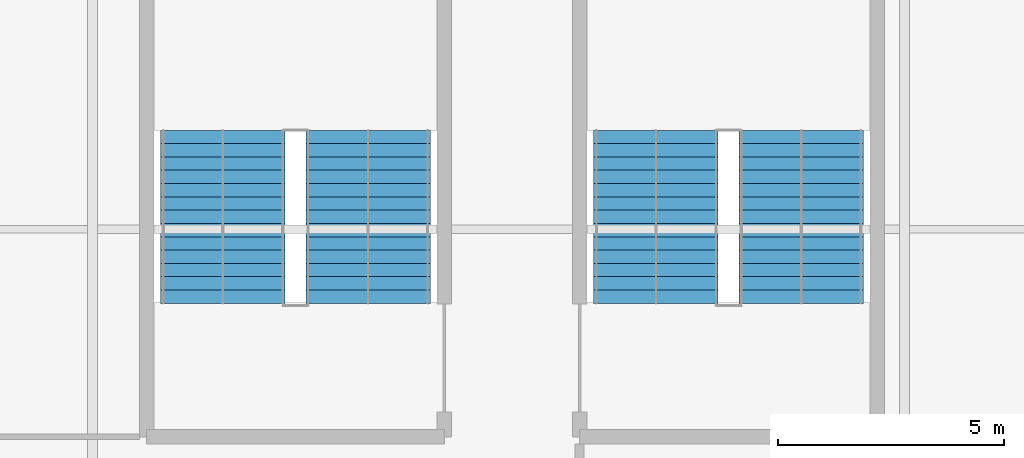
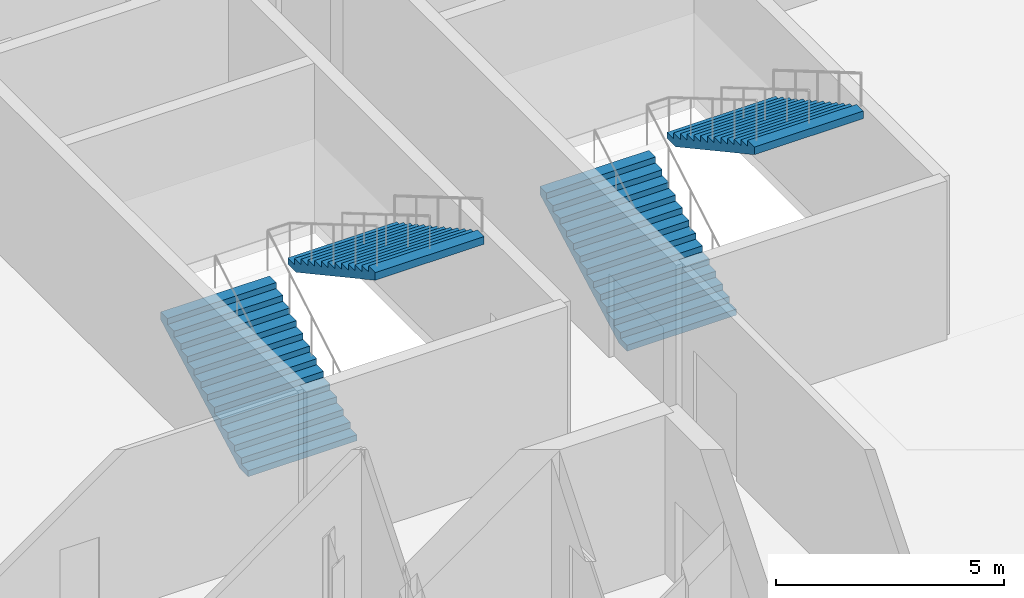
# One storey, part 60 of 73: 4 stair flights, 2 elements without a shape of their own.
"""IFC4 building model written with IfcOpenShell, lengths in metres."""

from ifc_helpers import new_model, si_unit, direction, frame, origin, place, context, subcontext, project, spatial, polygons, material, type_object, element, aggregate, save


model = new_model("IFC4")

# Units and contexts
model_context = context("Model", 3, precision=1e-05, world=origin(), true_north=direction((0.0, 1.0)))
body_context = subcontext(model_context, "Body", "Model", "MODEL_VIEW")
ifc_project = project(units=[si_unit("LENGTHUNIT", "METRE"), si_unit("AREAUNIT", "SQUARE_METRE"), si_unit("VOLUMEUNIT", "CUBIC_METRE"), si_unit("PLANEANGLEUNIT", "RADIAN"), si_unit("MASSUNIT", "GRAM", prefix="KILO")], contexts=[model_context])

# Site, building, storey
site_placement = place(None, origin())
site = spatial("IfcSite", under=ifc_project, at=site_placement, CompositionType="ELEMENT")
building_placement = place(site_placement, origin())
building = spatial("IfcBuilding", under=site, at=building_placement, Name="Kisiwana Market Hall", CompositionType="ELEMENT")
storey_placement = place(building_placement, frame((0.0, 0.0, 33.300048828125)))
storey = spatial("IfcBuildingStorey", under=building, at=storey_placement, Name="L07", CompositionType="ELEMENT", Elevation=33.300048828125)

# Stair, stair flights
ifc_material_1 = material(Name="Concrete C32/40", Category="concrete")
stair_type = type_object("IfcStairType", Name="ST-ESC-4500", PredefinedType="TWO_STRAIGHT_RUN_STAIR", material=ifc_material_1)
stair_1_placement = place(storey_placement, origin())
stair_1 = element("IfcStair", 1, at=stair_1_placement, inside=storey, type_object=stair_type, Name="Escape stair ST-W3-L07", PredefinedType="TWO_STRAIGHT_RUN_STAIR")
ifc_material_2 = material(Name="Concrete C32/40", Category="concrete")
stair_flight_type = type_object("IfcStairFlightType", Name="SF-ESC-4500", PredefinedType="STRAIGHT", material=ifc_material_2)
stair_flight_1_placement = place(storey_placement, frame((11.889892578125, 42.360107421875, 0.0), z_axis=(0.0, 0.0, 1.0), x_axis=(0.0, 1.0, 0.0)))
stair_flight_1 = element("IfcStairFlight", 2, at=stair_flight_1_placement, type_object=stair_flight_type, Name="ST-W3-L07 flight 1", NumberOfRisers=14, NumberOfTreads=13, PredefinedType="STRAIGHT", RiserHeight=0.160714, TreadLength=0.295, context=body_context, shape_type="Tessellation", body=[
    polygons([(0.0, -1.380127, 0.0), (0.0, -0.690125, 0.0), (0.0, -0.000122, 0.0), (0.0, 0.68988, 0.0), (0.0, 1.379883, 0.0), (0.0, -1.380127, 0.160645), (0.0, -0.690125, 0.160645), (0.0, -0.000122, 0.160645), (0.0, 0.68988, 0.160645), (0.0, 1.379883, 0.160645), (0.294922, -1.380127, 0.160645), (0.294922, -0.690125, 0.160645), (0.294922, -0.000122, 0.160645), (0.294922, 0.68988, 0.160645), (0.294922, 1.379883, 0.160645), (0.294922, -1.380127, 0.321533), (0.294922, -0.690125, 0.321533), (0.294922, -0.000122, 0.321533), (0.294922, 0.68988, 0.321533), (0.294922, 1.379883, 0.321533), (0.590088, -1.380127, 0.321533), (0.590088, -0.690125, 0.321533), (0.590088, -0.000122, 0.321533), (0.590088, 0.68988, 0.321533), (0.590088, 1.379883, 0.321533), (0.590088, -1.380127, 0.482178), (0.590088, -0.690125, 0.482178), (0.590088, -0.000122, 0.482178), (0.590088, 0.68988, 0.482178), (0.590088, 1.379883, 0.482178), (0.88501, -1.380127, 0.482178), (0.88501, -0.690125, 0.482178), (0.88501, -0.000122, 0.482178), (0.88501, 0.68988, 0.482178), (0.88501, 1.379883, 0.482178), (0.88501, -1.380127, 0.642822), (0.88501, -0.690125, 0.642822), (0.88501, -0.000122, 0.642822), (0.88501, 0.68988, 0.642822), (0.88501, 1.379883, 0.642822), (1.179932, -1.380127, 0.642822), (1.179932, -0.690125, 0.642822), (1.179932, -0.000122, 0.642822), (1.179932, 0.68988, 0.642822), (1.179932, 1.379883, 0.642822), (1.179932, -1.380127, 0.803467), (1.179932, -0.690125, 0.803467), (1.179932, -0.000122, 0.803467), (1.179932, 0.68988, 0.803467), (1.179932, 1.379883, 0.803467), (1.475098, -1.380127, 0.803467), (1.475098, -0.690125, 0.803467), (1.475098, -0.000122, 0.803467), (1.475098, 0.68988, 0.803467), (1.475098, 1.379883, 0.803467), (1.475098, -1.380127, 0.964355), (1.475098, -0.690125, 0.964355), (1.475098, -0.000122, 0.964355), (1.475098, 0.68988, 0.964355), (1.475098, 1.379883, 0.964355), (1.77002, -1.380127, 0.964355), (1.77002, -0.690125, 0.964355), (1.77002, -0.000122, 0.964355), (1.77002, 0.68988, 0.964355), (1.77002, 1.379883, 0.964355), (1.77002, -1.380127, 1.125), (1.77002, -0.690125, 1.125), (1.77002, -0.000122, 1.125), (1.77002, 0.68988, 1.125), (1.77002, 1.379883, 1.125), (2.064941, -1.380127, 1.125), (2.064941, -0.690125, 1.125), (2.064941, -0.000122, 1.125), (2.064941, 0.68988, 1.125), (2.064941, 1.379883, 1.125), (2.064941, -1.380127, 1.285645), (2.064941, -0.690125, 1.285645), (2.064941, -0.000122, 1.285645), (2.064941, 0.68988, 1.285645), (2.064941, 1.379883, 1.285645), (2.360107, -1.380127, 1.285645), (2.360107, -0.690125, 1.285645), (2.360107, -0.000122, 1.285645), (2.360107, 0.68988, 1.285645), (2.360107, 1.379883, 1.285645), (2.360107, -1.380127, 1.446533), (2.360107, -0.690125, 1.446533), (2.360107, -0.000122, 1.446533), (2.360107, 0.68988, 1.446533), (2.360107, 1.379883, 1.446533), (2.655029, -1.380127, 1.446533), (2.655029, -0.690125, 1.446533), (2.655029, -0.000122, 1.446533), (2.655029, 0.68988, 1.446533), (2.655029, 1.379883, 1.446533), (2.655029, -1.380127, 1.607178), (2.655029, -0.690125, 1.607178), (2.655029, -0.000122, 1.607178), (2.655029, 0.68988, 1.607178), (2.655029, 1.379883, 1.607178), (2.949951, -1.380127, 1.607178), (2.949951, -0.690125, 1.607178), (2.949951, -0.000122, 1.607178), (2.949951, 0.68988, 1.607178), (2.949951, 1.379883, 1.607178), (2.949951, -1.380127, 1.767822), (2.949951, -0.690125, 1.767822), (2.949951, -0.000122, 1.767822), (2.949951, 0.68988, 1.767822), (2.949951, 1.379883, 1.767822), (3.245117, -1.380127, 1.767822), (3.245117, -0.690125, 1.767822), (3.245117, -0.000122, 1.767822), (3.245117, 0.68988, 1.767822), (3.245117, 1.379883, 1.767822), (3.245117, -1.380127, 1.928467), (3.245117, -0.690125, 1.928467), (3.245117, -0.000122, 1.928467), (3.245117, 0.68988, 1.928467), (3.245117, 1.379883, 1.928467), (3.540039, -1.380127, 1.928467), (3.540039, -0.690125, 1.928467), (3.540039, -0.000122, 1.928467), (3.540039, 0.68988, 1.928467), (3.540039, 1.379883, 1.928467), (3.540039, -1.380127, 2.089355), (3.540039, -0.690125, 2.089355), (3.540039, -0.000122, 2.089355), (3.540039, 0.68988, 2.089355), (3.540039, 1.379883, 2.089355), (3.834961, -1.380127, 2.089355), (3.834961, -0.690125, 2.089355), (3.834961, -0.000122, 2.089355), (3.834961, 0.68988, 2.089355), (3.834961, 1.379883, 2.089355), (3.834961, -1.380127, 1.884277), (3.834961, -0.690125, 1.884277), (3.834961, -0.000122, 1.884277), (3.834961, 0.68988, 1.884277), (3.834961, 1.379883, 1.884277), (0.376221, -1.380127, 0.0), (0.376221, -0.690125, 0.0), (0.376221, -0.000122, 0.0), (0.376221, 0.68988, 0.0), (0.376221, 1.379883, 0.0)], [[[1, 6, 7, 2]], [[2, 7, 8, 3]], [[3, 8, 9, 4]], [[4, 9, 10, 5]], [[6, 11, 12, 7]], [[7, 12, 13, 8]], [[8, 13, 14, 9]], [[9, 14, 15, 10]], [[11, 16, 17, 12]], [[12, 17, 18, 13]], [[13, 18, 19, 14]], [[14, 19, 20, 15]], [[16, 21, 22, 17]], [[17, 22, 23, 18]], [[18, 23, 24, 19]], [[19, 24, 25, 20]], [[21, 26, 27, 22]], [[22, 27, 28, 23]], [[23, 28, 29, 24]], [[24, 29, 30, 25]], [[26, 31, 32, 27]], [[27, 32, 33, 28]], [[28, 33, 34, 29]], [[29, 34, 35, 30]], [[31, 36, 37, 32]], [[32, 37, 38, 33]], [[33, 38, 39, 34]], [[34, 39, 40, 35]], [[36, 41, 42, 37]], [[37, 42, 43, 38]], [[38, 43, 44, 39]], [[39, 44, 45, 40]], [[41, 46, 47, 42]], [[42, 47, 48, 43]], [[43, 48, 49, 44]], [[44, 49, 50, 45]], [[46, 51, 52, 47]], [[47, 52, 53, 48]], [[48, 53, 54, 49]], [[49, 54, 55, 50]], [[51, 56, 57, 52]], [[52, 57, 58, 53]], [[53, 58, 59, 54]], [[54, 59, 60, 55]], [[56, 61, 62, 57]], [[57, 62, 63, 58]], [[58, 63, 64, 59]], [[59, 64, 65, 60]], [[61, 66, 67, 62]], [[62, 67, 68, 63]], [[63, 68, 69, 64]], [[64, 69, 70, 65]], [[66, 71, 72, 67]], [[67, 72, 73, 68]], [[68, 73, 74, 69]], [[69, 74, 75, 70]], [[71, 76, 77, 72]], [[72, 77, 78, 73]], [[73, 78, 79, 74]], [[74, 79, 80, 75]], [[76, 81, 82, 77]], [[77, 82, 83, 78]], [[78, 83, 84, 79]], [[79, 84, 85, 80]], [[81, 86, 87, 82]], [[82, 87, 88, 83]], [[83, 88, 89, 84]], [[84, 89, 90, 85]], [[86, 91, 92, 87]], [[87, 92, 93, 88]], [[88, 93, 94, 89]], [[89, 94, 95, 90]], [[91, 96, 97, 92]], [[92, 97, 98, 93]], [[93, 98, 99, 94]], [[94, 99, 100, 95]], [[96, 101, 102, 97]], [[97, 102, 103, 98]], [[98, 103, 104, 99]], [[99, 104, 105, 100]], [[101, 106, 107, 102]], [[102, 107, 108, 103]], [[103, 108, 109, 104]], [[104, 109, 110, 105]], [[106, 111, 112, 107]], [[107, 112, 113, 108]], [[108, 113, 114, 109]], [[109, 114, 115, 110]], [[111, 116, 117, 112]], [[112, 117, 118, 113]], [[113, 118, 119, 114]], [[114, 119, 120, 115]], [[116, 121, 122, 117]], [[117, 122, 123, 118]], [[118, 123, 124, 119]], [[119, 124, 125, 120]], [[121, 126, 127, 122]], [[122, 127, 128, 123]], [[123, 128, 129, 124]], [[124, 129, 130, 125]], [[126, 131, 132, 127]], [[127, 132, 133, 128]], [[128, 133, 134, 129]], [[129, 134, 135, 130]], [[131, 136, 137, 132]], [[132, 137, 138, 133]], [[133, 138, 139, 134]], [[134, 139, 140, 135]], [[136, 141, 142, 137]], [[137, 142, 143, 138]], [[138, 143, 144, 139]], [[139, 144, 145, 140]], [[141, 1, 2, 142]], [[142, 2, 3, 143]], [[143, 3, 4, 144]], [[144, 4, 5, 145]], [[141, 136, 131, 126, 121, 116, 111, 106, 101, 96, 91, 86, 81, 76, 71, 66, 61, 56, 51, 46, 41, 36, 31, 26, 21, 16, 11, 6, 1]], [[5, 10, 15, 20, 25, 30, 35, 40, 45, 50, 55, 60, 65, 70, 75, 80, 85, 90, 95, 100, 105, 110, 115, 120, 125, 130, 135, 140, 145]]], closed=True),
])
stair_flight_2_placement = place(storey_placement, frame((15.110107421875, 46.195068359375, 2.25), z_axis=(0.0, 0.0, 1.0), x_axis=(0.0, -1.0, 0.0)))
stair_flight_2 = element("IfcStairFlight", 3, at=stair_flight_2_placement, type_object=stair_flight_type, Name="ST-W3-L07 flight 2", NumberOfRisers=14, NumberOfTreads=13, PredefinedType="STRAIGHT", RiserHeight=0.160714, TreadLength=0.295, context=body_context, shape_type="Tessellation", body=[
    polygons([(0.0, -1.380127, 0.0), (0.0, -0.690125, 0.0), (0.0, -0.000122, 0.0), (0.0, 0.68988, 0.0), (0.0, 1.379883, 0.0), (0.0, -1.380127, 0.160645), (0.0, -0.690125, 0.160645), (0.0, -0.000122, 0.160645), (0.0, 0.68988, 0.160645), (0.0, 1.379883, 0.160645), (0.294922, -1.380127, 0.160645), (0.294922, -0.690125, 0.160645), (0.294922, -0.000122, 0.160645), (0.294922, 0.68988, 0.160645), (0.294922, 1.379883, 0.160645), (0.294922, -1.380127, 0.321533), (0.294922, -0.690125, 0.321533), (0.294922, -0.000122, 0.321533), (0.294922, 0.68988, 0.321533), (0.294922, 1.379883, 0.321533), (0.590088, -1.380127, 0.321533), (0.590088, -0.690125, 0.321533), (0.590088, -0.000122, 0.321533), (0.590088, 0.68988, 0.321533), (0.590088, 1.379883, 0.321533), (0.590088, -1.380127, 0.482178), (0.590088, -0.690125, 0.482178), (0.590088, -0.000122, 0.482178), (0.590088, 0.68988, 0.482178), (0.590088, 1.379883, 0.482178), (0.88501, -1.380127, 0.482178), (0.88501, -0.690125, 0.482178), (0.88501, -0.000122, 0.482178), (0.88501, 0.68988, 0.482178), (0.88501, 1.379883, 0.482178), (0.88501, -1.380127, 0.642822), (0.88501, -0.690125, 0.642822), (0.88501, -0.000122, 0.642822), (0.88501, 0.68988, 0.642822), (0.88501, 1.379883, 0.642822), (1.179932, -1.380127, 0.642822), (1.179932, -0.690125, 0.642822), (1.179932, -0.000122, 0.642822), (1.179932, 0.68988, 0.642822), (1.179932, 1.379883, 0.642822), (1.179932, -1.380127, 0.803467), (1.179932, -0.690125, 0.803467), (1.179932, -0.000122, 0.803467), (1.179932, 0.68988, 0.803467), (1.179932, 1.379883, 0.803467), (1.475098, -1.380127, 0.803467), (1.475098, -0.690125, 0.803467), (1.475098, -0.000122, 0.803467), (1.475098, 0.68988, 0.803467), (1.475098, 1.379883, 0.803467), (1.475098, -1.380127, 0.964355), (1.475098, -0.690125, 0.964355), (1.475098, -0.000122, 0.964355), (1.475098, 0.68988, 0.964355), (1.475098, 1.379883, 0.964355), (1.77002, -1.380127, 0.964355), (1.77002, -0.690125, 0.964355), (1.77002, -0.000122, 0.964355), (1.77002, 0.68988, 0.964355), (1.77002, 1.379883, 0.964355), (1.77002, -1.380127, 1.125), (1.77002, -0.690125, 1.125), (1.77002, -0.000122, 1.125), (1.77002, 0.68988, 1.125), (1.77002, 1.379883, 1.125), (2.064941, -1.380127, 1.125), (2.064941, -0.690125, 1.125), (2.064941, -0.000122, 1.125), (2.064941, 0.68988, 1.125), (2.064941, 1.379883, 1.125), (2.064941, -1.380127, 1.285645), (2.064941, -0.690125, 1.285645), (2.064941, -0.000122, 1.285645), (2.064941, 0.68988, 1.285645), (2.064941, 1.379883, 1.285645), (2.360107, -1.380127, 1.285645), (2.360107, -0.690125, 1.285645), (2.360107, -0.000122, 1.285645), (2.360107, 0.68988, 1.285645), (2.360107, 1.379883, 1.285645), (2.360107, -1.380127, 1.446533), (2.360107, -0.690125, 1.446533), (2.360107, -0.000122, 1.446533), (2.360107, 0.68988, 1.446533), (2.360107, 1.379883, 1.446533), (2.655029, -1.380127, 1.446533), (2.655029, -0.690125, 1.446533), (2.655029, -0.000122, 1.446533), (2.655029, 0.68988, 1.446533), (2.655029, 1.379883, 1.446533), (2.655029, -1.380127, 1.607178), (2.655029, -0.690125, 1.607178), (2.655029, -0.000122, 1.607178), (2.655029, 0.68988, 1.607178), (2.655029, 1.379883, 1.607178), (2.949951, -1.380127, 1.607178), (2.949951, -0.690125, 1.607178), (2.949951, -0.000122, 1.607178), (2.949951, 0.68988, 1.607178), (2.949951, 1.379883, 1.607178), (2.949951, -1.380127, 1.767822), (2.949951, -0.690125, 1.767822), (2.949951, -0.000122, 1.767822), (2.949951, 0.68988, 1.767822), (2.949951, 1.379883, 1.767822), (3.245117, -1.380127, 1.767822), (3.245117, -0.690125, 1.767822), (3.245117, -0.000122, 1.767822), (3.245117, 0.68988, 1.767822), (3.245117, 1.379883, 1.767822), (3.245117, -1.380127, 1.928467), (3.245117, -0.690125, 1.928467), (3.245117, -0.000122, 1.928467), (3.245117, 0.68988, 1.928467), (3.245117, 1.379883, 1.928467), (3.540039, -1.380127, 1.928467), (3.540039, -0.690125, 1.928467), (3.540039, -0.000122, 1.928467), (3.540039, 0.68988, 1.928467), (3.540039, 1.379883, 1.928467), (3.540039, -1.380127, 2.089355), (3.540039, -0.690125, 2.089355), (3.540039, -0.000122, 2.089355), (3.540039, 0.68988, 2.089355), (3.540039, 1.379883, 2.089355), (3.834961, -1.380127, 2.089355), (3.834961, -0.690125, 2.089355), (3.834961, -0.000122, 2.089355), (3.834961, 0.68988, 2.089355), (3.834961, 1.379883, 2.089355), (3.834961, -1.380127, 1.884277), (3.834961, -0.690125, 1.884277), (3.834961, -0.000122, 1.884277), (3.834961, 0.68988, 1.884277), (3.834961, 1.379883, 1.884277), (0.376221, -1.380127, 0.0), (0.376221, -0.690125, 0.0), (0.376221, -0.000122, 0.0), (0.376221, 0.68988, 0.0), (0.376221, 1.379883, 0.0)], [[[1, 6, 7, 2]], [[2, 7, 8, 3]], [[3, 8, 9, 4]], [[4, 9, 10, 5]], [[6, 11, 12, 7]], [[7, 12, 13, 8]], [[8, 13, 14, 9]], [[9, 14, 15, 10]], [[11, 16, 17, 12]], [[12, 17, 18, 13]], [[13, 18, 19, 14]], [[14, 19, 20, 15]], [[16, 21, 22, 17]], [[17, 22, 23, 18]], [[18, 23, 24, 19]], [[19, 24, 25, 20]], [[21, 26, 27, 22]], [[22, 27, 28, 23]], [[23, 28, 29, 24]], [[24, 29, 30, 25]], [[26, 31, 32, 27]], [[27, 32, 33, 28]], [[28, 33, 34, 29]], [[29, 34, 35, 30]], [[31, 36, 37, 32]], [[32, 37, 38, 33]], [[33, 38, 39, 34]], [[34, 39, 40, 35]], [[36, 41, 42, 37]], [[37, 42, 43, 38]], [[38, 43, 44, 39]], [[39, 44, 45, 40]], [[41, 46, 47, 42]], [[42, 47, 48, 43]], [[43, 48, 49, 44]], [[44, 49, 50, 45]], [[46, 51, 52, 47]], [[47, 52, 53, 48]], [[48, 53, 54, 49]], [[49, 54, 55, 50]], [[51, 56, 57, 52]], [[52, 57, 58, 53]], [[53, 58, 59, 54]], [[54, 59, 60, 55]], [[56, 61, 62, 57]], [[57, 62, 63, 58]], [[58, 63, 64, 59]], [[59, 64, 65, 60]], [[61, 66, 67, 62]], [[62, 67, 68, 63]], [[63, 68, 69, 64]], [[64, 69, 70, 65]], [[66, 71, 72, 67]], [[67, 72, 73, 68]], [[68, 73, 74, 69]], [[69, 74, 75, 70]], [[71, 76, 77, 72]], [[72, 77, 78, 73]], [[73, 78, 79, 74]], [[74, 79, 80, 75]], [[76, 81, 82, 77]], [[77, 82, 83, 78]], [[78, 83, 84, 79]], [[79, 84, 85, 80]], [[81, 86, 87, 82]], [[82, 87, 88, 83]], [[83, 88, 89, 84]], [[84, 89, 90, 85]], [[86, 91, 92, 87]], [[87, 92, 93, 88]], [[88, 93, 94, 89]], [[89, 94, 95, 90]], [[91, 96, 97, 92]], [[92, 97, 98, 93]], [[93, 98, 99, 94]], [[94, 99, 100, 95]], [[96, 101, 102, 97]], [[97, 102, 103, 98]], [[98, 103, 104, 99]], [[99, 104, 105, 100]], [[101, 106, 107, 102]], [[102, 107, 108, 103]], [[103, 108, 109, 104]], [[104, 109, 110, 105]], [[106, 111, 112, 107]], [[107, 112, 113, 108]], [[108, 113, 114, 109]], [[109, 114, 115, 110]], [[111, 116, 117, 112]], [[112, 117, 118, 113]], [[113, 118, 119, 114]], [[114, 119, 120, 115]], [[116, 121, 122, 117]], [[117, 122, 123, 118]], [[118, 123, 124, 119]], [[119, 124, 125, 120]], [[121, 126, 127, 122]], [[122, 127, 128, 123]], [[123, 128, 129, 124]], [[124, 129, 130, 125]], [[126, 131, 132, 127]], [[127, 132, 133, 128]], [[128, 133, 134, 129]], [[129, 134, 135, 130]], [[131, 136, 137, 132]], [[132, 137, 138, 133]], [[133, 138, 139, 134]], [[134, 139, 140, 135]], [[136, 141, 142, 137]], [[137, 142, 143, 138]], [[138, 143, 144, 139]], [[139, 144, 145, 140]], [[141, 1, 2, 142]], [[142, 2, 3, 143]], [[143, 3, 4, 144]], [[144, 4, 5, 145]], [[141, 136, 131, 126, 121, 116, 111, 106, 101, 96, 91, 86, 81, 76, 71, 66, 61, 56, 51, 46, 41, 36, 31, 26, 21, 16, 11, 6, 1]], [[5, 10, 15, 20, 25, 30, 35, 40, 45, 50, 55, 60, 65, 70, 75, 80, 85, 90, 95, 100, 105, 110, 115, 120, 125, 130, 135, 140, 145]]], closed=True),
])
aggregate(stair_1, [stair_flight_1, stair_flight_2])

stair_2_placement = place(storey_placement, origin())
stair_2 = element("IfcStair", 4, at=stair_2_placement, inside=storey, type_object=stair_type, Name="Escape stair ST-W7-L07", PredefinedType="TWO_STRAIGHT_RUN_STAIR")
stair_flight_3_placement = place(storey_placement, frame((21.489990234375, 42.360107421875, 0.0), z_axis=(0.0, 0.0, 1.0), x_axis=(0.0, 1.0, 0.0)))
stair_flight_3 = element("IfcStairFlight", 5, at=stair_flight_3_placement, type_object=stair_flight_type, Name="ST-W7-L07 flight 1", NumberOfRisers=14, NumberOfTreads=13, PredefinedType="STRAIGHT", RiserHeight=0.160714, TreadLength=0.295, context=body_context, shape_type="Tessellation", body=[
    polygons([(0.0, -1.380127, 0.0), (0.0, -0.690125, 0.0), (0.0, -0.000122, 0.0), (0.0, 0.68988, 0.0), (0.0, 1.379883, 0.0), (0.0, -1.380127, 0.160645), (0.0, -0.690125, 0.160645), (0.0, -0.000122, 0.160645), (0.0, 0.68988, 0.160645), (0.0, 1.379883, 0.160645), (0.294922, -1.380127, 0.160645), (0.294922, -0.690125, 0.160645), (0.294922, -0.000122, 0.160645), (0.294922, 0.68988, 0.160645), (0.294922, 1.379883, 0.160645), (0.294922, -1.380127, 0.321533), (0.294922, -0.690125, 0.321533), (0.294922, -0.000122, 0.321533), (0.294922, 0.68988, 0.321533), (0.294922, 1.379883, 0.321533), (0.590088, -1.380127, 0.321533), (0.590088, -0.690125, 0.321533), (0.590088, -0.000122, 0.321533), (0.590088, 0.68988, 0.321533), (0.590088, 1.379883, 0.321533), (0.590088, -1.380127, 0.482178), (0.590088, -0.690125, 0.482178), (0.590088, -0.000122, 0.482178), (0.590088, 0.68988, 0.482178), (0.590088, 1.379883, 0.482178), (0.88501, -1.380127, 0.482178), (0.88501, -0.690125, 0.482178), (0.88501, -0.000122, 0.482178), (0.88501, 0.68988, 0.482178), (0.88501, 1.379883, 0.482178), (0.88501, -1.380127, 0.642822), (0.88501, -0.690125, 0.642822), (0.88501, -0.000122, 0.642822), (0.88501, 0.68988, 0.642822), (0.88501, 1.379883, 0.642822), (1.179932, -1.380127, 0.642822), (1.179932, -0.690125, 0.642822), (1.179932, -0.000122, 0.642822), (1.179932, 0.68988, 0.642822), (1.179932, 1.379883, 0.642822), (1.179932, -1.380127, 0.803467), (1.179932, -0.690125, 0.803467), (1.179932, -0.000122, 0.803467), (1.179932, 0.68988, 0.803467), (1.179932, 1.379883, 0.803467), (1.475098, -1.380127, 0.803467), (1.475098, -0.690125, 0.803467), (1.475098, -0.000122, 0.803467), (1.475098, 0.68988, 0.803467), (1.475098, 1.379883, 0.803467), (1.475098, -1.380127, 0.964355), (1.475098, -0.690125, 0.964355), (1.475098, -0.000122, 0.964355), (1.475098, 0.68988, 0.964355), (1.475098, 1.379883, 0.964355), (1.77002, -1.380127, 0.964355), (1.77002, -0.690125, 0.964355), (1.77002, -0.000122, 0.964355), (1.77002, 0.68988, 0.964355), (1.77002, 1.379883, 0.964355), (1.77002, -1.380127, 1.125), (1.77002, -0.690125, 1.125), (1.77002, -0.000122, 1.125), (1.77002, 0.68988, 1.125), (1.77002, 1.379883, 1.125), (2.064941, -1.380127, 1.125), (2.064941, -0.690125, 1.125), (2.064941, -0.000122, 1.125), (2.064941, 0.68988, 1.125), (2.064941, 1.379883, 1.125), (2.064941, -1.380127, 1.285645), (2.064941, -0.690125, 1.285645), (2.064941, -0.000122, 1.285645), (2.064941, 0.68988, 1.285645), (2.064941, 1.379883, 1.285645), (2.360107, -1.380127, 1.285645), (2.360107, -0.690125, 1.285645), (2.360107, -0.000122, 1.285645), (2.360107, 0.68988, 1.285645), (2.360107, 1.379883, 1.285645), (2.360107, -1.380127, 1.446533), (2.360107, -0.690125, 1.446533), (2.360107, -0.000122, 1.446533), (2.360107, 0.68988, 1.446533), (2.360107, 1.379883, 1.446533), (2.655029, -1.380127, 1.446533), (2.655029, -0.690125, 1.446533), (2.655029, -0.000122, 1.446533), (2.655029, 0.68988, 1.446533), (2.655029, 1.379883, 1.446533), (2.655029, -1.380127, 1.607178), (2.655029, -0.690125, 1.607178), (2.655029, -0.000122, 1.607178), (2.655029, 0.68988, 1.607178), (2.655029, 1.379883, 1.607178), (2.949951, -1.380127, 1.607178), (2.949951, -0.690125, 1.607178), (2.949951, -0.000122, 1.607178), (2.949951, 0.68988, 1.607178), (2.949951, 1.379883, 1.607178), (2.949951, -1.380127, 1.767822), (2.949951, -0.690125, 1.767822), (2.949951, -0.000122, 1.767822), (2.949951, 0.68988, 1.767822), (2.949951, 1.379883, 1.767822), (3.245117, -1.380127, 1.767822), (3.245117, -0.690125, 1.767822), (3.245117, -0.000122, 1.767822), (3.245117, 0.68988, 1.767822), (3.245117, 1.379883, 1.767822), (3.245117, -1.380127, 1.928467), (3.245117, -0.690125, 1.928467), (3.245117, -0.000122, 1.928467), (3.245117, 0.68988, 1.928467), (3.245117, 1.379883, 1.928467), (3.540039, -1.380127, 1.928467), (3.540039, -0.690125, 1.928467), (3.540039, -0.000122, 1.928467), (3.540039, 0.68988, 1.928467), (3.540039, 1.379883, 1.928467), (3.540039, -1.380127, 2.089355), (3.540039, -0.690125, 2.089355), (3.540039, -0.000122, 2.089355), (3.540039, 0.68988, 2.089355), (3.540039, 1.379883, 2.089355), (3.834961, -1.380127, 2.089355), (3.834961, -0.690125, 2.089355), (3.834961, -0.000122, 2.089355), (3.834961, 0.68988, 2.089355), (3.834961, 1.379883, 2.089355), (3.834961, -1.380127, 1.884277), (3.834961, -0.690125, 1.884277), (3.834961, -0.000122, 1.884277), (3.834961, 0.68988, 1.884277), (3.834961, 1.379883, 1.884277), (0.376221, -1.380127, 0.0), (0.376221, -0.690125, 0.0), (0.376221, -0.000122, 0.0), (0.376221, 0.68988, 0.0), (0.376221, 1.379883, 0.0)], [[[1, 6, 7, 2]], [[2, 7, 8, 3]], [[3, 8, 9, 4]], [[4, 9, 10, 5]], [[6, 11, 12, 7]], [[7, 12, 13, 8]], [[8, 13, 14, 9]], [[9, 14, 15, 10]], [[11, 16, 17, 12]], [[12, 17, 18, 13]], [[13, 18, 19, 14]], [[14, 19, 20, 15]], [[16, 21, 22, 17]], [[17, 22, 23, 18]], [[18, 23, 24, 19]], [[19, 24, 25, 20]], [[21, 26, 27, 22]], [[22, 27, 28, 23]], [[23, 28, 29, 24]], [[24, 29, 30, 25]], [[26, 31, 32, 27]], [[27, 32, 33, 28]], [[28, 33, 34, 29]], [[29, 34, 35, 30]], [[31, 36, 37, 32]], [[32, 37, 38, 33]], [[33, 38, 39, 34]], [[34, 39, 40, 35]], [[36, 41, 42, 37]], [[37, 42, 43, 38]], [[38, 43, 44, 39]], [[39, 44, 45, 40]], [[41, 46, 47, 42]], [[42, 47, 48, 43]], [[43, 48, 49, 44]], [[44, 49, 50, 45]], [[46, 51, 52, 47]], [[47, 52, 53, 48]], [[48, 53, 54, 49]], [[49, 54, 55, 50]], [[51, 56, 57, 52]], [[52, 57, 58, 53]], [[53, 58, 59, 54]], [[54, 59, 60, 55]], [[56, 61, 62, 57]], [[57, 62, 63, 58]], [[58, 63, 64, 59]], [[59, 64, 65, 60]], [[61, 66, 67, 62]], [[62, 67, 68, 63]], [[63, 68, 69, 64]], [[64, 69, 70, 65]], [[66, 71, 72, 67]], [[67, 72, 73, 68]], [[68, 73, 74, 69]], [[69, 74, 75, 70]], [[71, 76, 77, 72]], [[72, 77, 78, 73]], [[73, 78, 79, 74]], [[74, 79, 80, 75]], [[76, 81, 82, 77]], [[77, 82, 83, 78]], [[78, 83, 84, 79]], [[79, 84, 85, 80]], [[81, 86, 87, 82]], [[82, 87, 88, 83]], [[83, 88, 89, 84]], [[84, 89, 90, 85]], [[86, 91, 92, 87]], [[87, 92, 93, 88]], [[88, 93, 94, 89]], [[89, 94, 95, 90]], [[91, 96, 97, 92]], [[92, 97, 98, 93]], [[93, 98, 99, 94]], [[94, 99, 100, 95]], [[96, 101, 102, 97]], [[97, 102, 103, 98]], [[98, 103, 104, 99]], [[99, 104, 105, 100]], [[101, 106, 107, 102]], [[102, 107, 108, 103]], [[103, 108, 109, 104]], [[104, 109, 110, 105]], [[106, 111, 112, 107]], [[107, 112, 113, 108]], [[108, 113, 114, 109]], [[109, 114, 115, 110]], [[111, 116, 117, 112]], [[112, 117, 118, 113]], [[113, 118, 119, 114]], [[114, 119, 120, 115]], [[116, 121, 122, 117]], [[117, 122, 123, 118]], [[118, 123, 124, 119]], [[119, 124, 125, 120]], [[121, 126, 127, 122]], [[122, 127, 128, 123]], [[123, 128, 129, 124]], [[124, 129, 130, 125]], [[126, 131, 132, 127]], [[127, 132, 133, 128]], [[128, 133, 134, 129]], [[129, 134, 135, 130]], [[131, 136, 137, 132]], [[132, 137, 138, 133]], [[133, 138, 139, 134]], [[134, 139, 140, 135]], [[136, 141, 142, 137]], [[137, 142, 143, 138]], [[138, 143, 144, 139]], [[139, 144, 145, 140]], [[141, 1, 2, 142]], [[142, 2, 3, 143]], [[143, 3, 4, 144]], [[144, 4, 5, 145]], [[141, 136, 131, 126, 121, 116, 111, 106, 101, 96, 91, 86, 81, 76, 71, 66, 61, 56, 51, 46, 41, 36, 31, 26, 21, 16, 11, 6, 1]], [[5, 10, 15, 20, 25, 30, 35, 40, 45, 50, 55, 60, 65, 70, 75, 80, 85, 90, 95, 100, 105, 110, 115, 120, 125, 130, 135, 140, 145]]], closed=True),
])
stair_flight_4_placement = place(storey_placement, frame((24.7099609375, 46.195068359375, 2.25), z_axis=(0.0, 0.0, 1.0), x_axis=(0.0, -1.0, 0.0)))
stair_flight_4 = element("IfcStairFlight", 6, at=stair_flight_4_placement, type_object=stair_flight_type, Name="ST-W7-L07 flight 2", NumberOfRisers=14, NumberOfTreads=13, PredefinedType="STRAIGHT", RiserHeight=0.160714, TreadLength=0.295, context=body_context, shape_type="Tessellation", body=[
    polygons([(0.0, -1.380127, 0.0), (0.0, -0.690125, 0.0), (0.0, -0.000122, 0.0), (0.0, 0.68988, 0.0), (0.0, 1.379883, 0.0), (0.0, -1.380127, 0.160645), (0.0, -0.690125, 0.160645), (0.0, -0.000122, 0.160645), (0.0, 0.68988, 0.160645), (0.0, 1.379883, 0.160645), (0.294922, -1.380127, 0.160645), (0.294922, -0.690125, 0.160645), (0.294922, -0.000122, 0.160645), (0.294922, 0.68988, 0.160645), (0.294922, 1.379883, 0.160645), (0.294922, -1.380127, 0.321533), (0.294922, -0.690125, 0.321533), (0.294922, -0.000122, 0.321533), (0.294922, 0.68988, 0.321533), (0.294922, 1.379883, 0.321533), (0.590088, -1.380127, 0.321533), (0.590088, -0.690125, 0.321533), (0.590088, -0.000122, 0.321533), (0.590088, 0.68988, 0.321533), (0.590088, 1.379883, 0.321533), (0.590088, -1.380127, 0.482178), (0.590088, -0.690125, 0.482178), (0.590088, -0.000122, 0.482178), (0.590088, 0.68988, 0.482178), (0.590088, 1.379883, 0.482178), (0.88501, -1.380127, 0.482178), (0.88501, -0.690125, 0.482178), (0.88501, -0.000122, 0.482178), (0.88501, 0.68988, 0.482178), (0.88501, 1.379883, 0.482178), (0.88501, -1.380127, 0.642822), (0.88501, -0.690125, 0.642822), (0.88501, -0.000122, 0.642822), (0.88501, 0.68988, 0.642822), (0.88501, 1.379883, 0.642822), (1.179932, -1.380127, 0.642822), (1.179932, -0.690125, 0.642822), (1.179932, -0.000122, 0.642822), (1.179932, 0.68988, 0.642822), (1.179932, 1.379883, 0.642822), (1.179932, -1.380127, 0.803467), (1.179932, -0.690125, 0.803467), (1.179932, -0.000122, 0.803467), (1.179932, 0.68988, 0.803467), (1.179932, 1.379883, 0.803467), (1.475098, -1.380127, 0.803467), (1.475098, -0.690125, 0.803467), (1.475098, -0.000122, 0.803467), (1.475098, 0.68988, 0.803467), (1.475098, 1.379883, 0.803467), (1.475098, -1.380127, 0.964355), (1.475098, -0.690125, 0.964355), (1.475098, -0.000122, 0.964355), (1.475098, 0.68988, 0.964355), (1.475098, 1.379883, 0.964355), (1.77002, -1.380127, 0.964355), (1.77002, -0.690125, 0.964355), (1.77002, -0.000122, 0.964355), (1.77002, 0.68988, 0.964355), (1.77002, 1.379883, 0.964355), (1.77002, -1.380127, 1.125), (1.77002, -0.690125, 1.125), (1.77002, -0.000122, 1.125), (1.77002, 0.68988, 1.125), (1.77002, 1.379883, 1.125), (2.064941, -1.380127, 1.125), (2.064941, -0.690125, 1.125), (2.064941, -0.000122, 1.125), (2.064941, 0.68988, 1.125), (2.064941, 1.379883, 1.125), (2.064941, -1.380127, 1.285645), (2.064941, -0.690125, 1.285645), (2.064941, -0.000122, 1.285645), (2.064941, 0.68988, 1.285645), (2.064941, 1.379883, 1.285645), (2.360107, -1.380127, 1.285645), (2.360107, -0.690125, 1.285645), (2.360107, -0.000122, 1.285645), (2.360107, 0.68988, 1.285645), (2.360107, 1.379883, 1.285645), (2.360107, -1.380127, 1.446533), (2.360107, -0.690125, 1.446533), (2.360107, -0.000122, 1.446533), (2.360107, 0.68988, 1.446533), (2.360107, 1.379883, 1.446533), (2.655029, -1.380127, 1.446533), (2.655029, -0.690125, 1.446533), (2.655029, -0.000122, 1.446533), (2.655029, 0.68988, 1.446533), (2.655029, 1.379883, 1.446533), (2.655029, -1.380127, 1.607178), (2.655029, -0.690125, 1.607178), (2.655029, -0.000122, 1.607178), (2.655029, 0.68988, 1.607178), (2.655029, 1.379883, 1.607178), (2.949951, -1.380127, 1.607178), (2.949951, -0.690125, 1.607178), (2.949951, -0.000122, 1.607178), (2.949951, 0.68988, 1.607178), (2.949951, 1.379883, 1.607178), (2.949951, -1.380127, 1.767822), (2.949951, -0.690125, 1.767822), (2.949951, -0.000122, 1.767822), (2.949951, 0.68988, 1.767822), (2.949951, 1.379883, 1.767822), (3.245117, -1.380127, 1.767822), (3.245117, -0.690125, 1.767822), (3.245117, -0.000122, 1.767822), (3.245117, 0.68988, 1.767822), (3.245117, 1.379883, 1.767822), (3.245117, -1.380127, 1.928467), (3.245117, -0.690125, 1.928467), (3.245117, -0.000122, 1.928467), (3.245117, 0.68988, 1.928467), (3.245117, 1.379883, 1.928467), (3.540039, -1.380127, 1.928467), (3.540039, -0.690125, 1.928467), (3.540039, -0.000122, 1.928467), (3.540039, 0.68988, 1.928467), (3.540039, 1.379883, 1.928467), (3.540039, -1.380127, 2.089355), (3.540039, -0.690125, 2.089355), (3.540039, -0.000122, 2.089355), (3.540039, 0.68988, 2.089355), (3.540039, 1.379883, 2.089355), (3.834961, -1.380127, 2.089355), (3.834961, -0.690125, 2.089355), (3.834961, -0.000122, 2.089355), (3.834961, 0.68988, 2.089355), (3.834961, 1.379883, 2.089355), (3.834961, -1.380127, 1.884277), (3.834961, -0.690125, 1.884277), (3.834961, -0.000122, 1.884277), (3.834961, 0.68988, 1.884277), (3.834961, 1.379883, 1.884277), (0.376221, -1.380127, 0.0), (0.376221, -0.690125, 0.0), (0.376221, -0.000122, 0.0), (0.376221, 0.68988, 0.0), (0.376221, 1.379883, 0.0)], [[[1, 6, 7, 2]], [[2, 7, 8, 3]], [[3, 8, 9, 4]], [[4, 9, 10, 5]], [[6, 11, 12, 7]], [[7, 12, 13, 8]], [[8, 13, 14, 9]], [[9, 14, 15, 10]], [[11, 16, 17, 12]], [[12, 17, 18, 13]], [[13, 18, 19, 14]], [[14, 19, 20, 15]], [[16, 21, 22, 17]], [[17, 22, 23, 18]], [[18, 23, 24, 19]], [[19, 24, 25, 20]], [[21, 26, 27, 22]], [[22, 27, 28, 23]], [[23, 28, 29, 24]], [[24, 29, 30, 25]], [[26, 31, 32, 27]], [[27, 32, 33, 28]], [[28, 33, 34, 29]], [[29, 34, 35, 30]], [[31, 36, 37, 32]], [[32, 37, 38, 33]], [[33, 38, 39, 34]], [[34, 39, 40, 35]], [[36, 41, 42, 37]], [[37, 42, 43, 38]], [[38, 43, 44, 39]], [[39, 44, 45, 40]], [[41, 46, 47, 42]], [[42, 47, 48, 43]], [[43, 48, 49, 44]], [[44, 49, 50, 45]], [[46, 51, 52, 47]], [[47, 52, 53, 48]], [[48, 53, 54, 49]], [[49, 54, 55, 50]], [[51, 56, 57, 52]], [[52, 57, 58, 53]], [[53, 58, 59, 54]], [[54, 59, 60, 55]], [[56, 61, 62, 57]], [[57, 62, 63, 58]], [[58, 63, 64, 59]], [[59, 64, 65, 60]], [[61, 66, 67, 62]], [[62, 67, 68, 63]], [[63, 68, 69, 64]], [[64, 69, 70, 65]], [[66, 71, 72, 67]], [[67, 72, 73, 68]], [[68, 73, 74, 69]], [[69, 74, 75, 70]], [[71, 76, 77, 72]], [[72, 77, 78, 73]], [[73, 78, 79, 74]], [[74, 79, 80, 75]], [[76, 81, 82, 77]], [[77, 82, 83, 78]], [[78, 83, 84, 79]], [[79, 84, 85, 80]], [[81, 86, 87, 82]], [[82, 87, 88, 83]], [[83, 88, 89, 84]], [[84, 89, 90, 85]], [[86, 91, 92, 87]], [[87, 92, 93, 88]], [[88, 93, 94, 89]], [[89, 94, 95, 90]], [[91, 96, 97, 92]], [[92, 97, 98, 93]], [[93, 98, 99, 94]], [[94, 99, 100, 95]], [[96, 101, 102, 97]], [[97, 102, 103, 98]], [[98, 103, 104, 99]], [[99, 104, 105, 100]], [[101, 106, 107, 102]], [[102, 107, 108, 103]], [[103, 108, 109, 104]], [[104, 109, 110, 105]], [[106, 111, 112, 107]], [[107, 112, 113, 108]], [[108, 113, 114, 109]], [[109, 114, 115, 110]], [[111, 116, 117, 112]], [[112, 117, 118, 113]], [[113, 118, 119, 114]], [[114, 119, 120, 115]], [[116, 121, 122, 117]], [[117, 122, 123, 118]], [[118, 123, 124, 119]], [[119, 124, 125, 120]], [[121, 126, 127, 122]], [[122, 127, 128, 123]], [[123, 128, 129, 124]], [[124, 129, 130, 125]], [[126, 131, 132, 127]], [[127, 132, 133, 128]], [[128, 133, 134, 129]], [[129, 134, 135, 130]], [[131, 136, 137, 132]], [[132, 137, 138, 133]], [[133, 138, 139, 134]], [[134, 139, 140, 135]], [[136, 141, 142, 137]], [[137, 142, 143, 138]], [[138, 143, 144, 139]], [[139, 144, 145, 140]], [[141, 1, 2, 142]], [[142, 2, 3, 143]], [[143, 3, 4, 144]], [[144, 4, 5, 145]], [[141, 136, 131, 126, 121, 116, 111, 106, 101, 96, 91, 86, 81, 76, 71, 66, 61, 56, 51, 46, 41, 36, 31, 26, 21, 16, 11, 6, 1]], [[5, 10, 15, 20, 25, 30, 35, 40, 45, 50, 55, 60, 65, 70, 75, 80, 85, 90, 95, 100, 105, 110, 115, 120, 125, 130, 135, 140, 145]]], closed=True),
])
aggregate(stair_2, [stair_flight_3, stair_flight_4])

save(model, "model.ifc")
